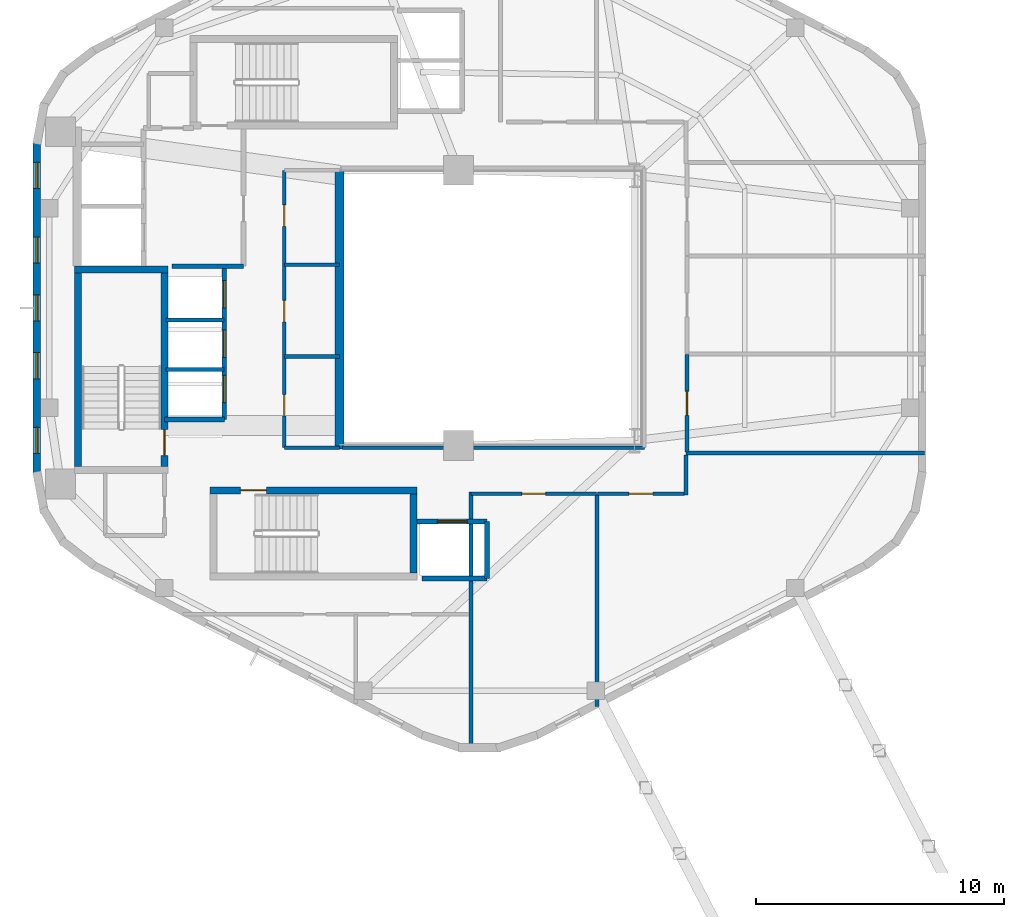
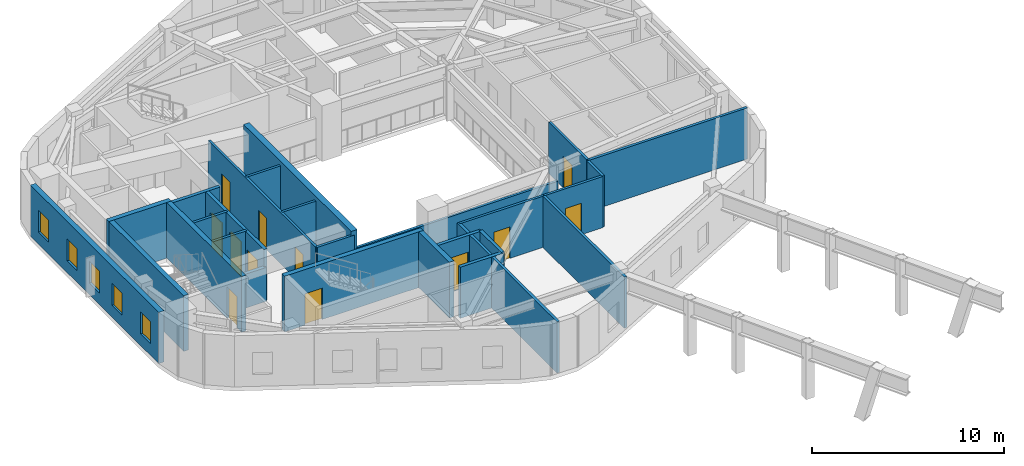
# One storey, part 3 of 6: 27 walls, 12 doors, 5 windows, 17 openings.
"""IFC4 building model written with IfcOpenShell, lengths in metres."""

from ifc_helpers import new_model, si_unit, direction, frame, frame_2d, origin, place, context, subcontext, project, spatial, rectangle, extrude, material, layer, layer_set, type_object, element, fill, save


model = new_model("IFC4")

# Units and contexts
model_context = context("Model", 3, precision=1e-05, world=origin(), true_north=direction((0.0, 1.0)))
body_context = subcontext(model_context, "Body", "Model", "MODEL_VIEW")
ifc_project = project(units=[si_unit("LENGTHUNIT", "METRE"), si_unit("AREAUNIT", "SQUARE_METRE"), si_unit("VOLUMEUNIT", "CUBIC_METRE"), si_unit("PLANEANGLEUNIT", "RADIAN"), si_unit("MASSUNIT", "GRAM", prefix="KILO"), si_unit("THERMODYNAMICTEMPERATUREUNIT", "KELVIN"), si_unit("POWERUNIT", "WATT")], contexts=[model_context])

# Site, building, storey
site_placement = place(None, origin())
site = spatial("IfcSite", under=ifc_project, at=site_placement, CompositionType="ELEMENT")
building_placement = place(site_placement, origin())
building = spatial("IfcBuilding", under=site, at=building_placement, Name="Skarre Station Tower", CompositionType="ELEMENT")
storey_placement = place(building_placement, frame((0.0, 0.0, 231.25)))
storey = spatial("IfcBuildingStorey", under=building, at=storey_placement, Name="L63", CompositionType="ELEMENT", Elevation=231.25)

# Walls
ifc_material_1 = material(Name="Acoustic Steel-Stud Gypsum Partition", Category="steel")
ifc_layer_1 = layer(ifc_material_1, 0.14990234375, Name="Acoustic Steel-Stud Gypsum Partition")
ifc_layer_set_1 = layer_set([ifc_layer_1], Name="Acoustic Steel-Stud Gypsum Partition")
wall_type_1 = type_object("IfcWallType", Name="Fire-Rated Corridor Acoustic Partition 150", PredefinedType="PARTITIONING", material=ifc_layer_set_1)
for number, where, z_axis, x_axis, name in (
    (1, (25.320068359375, 22.0400390625, 0.0), (0.0, 0.0, 1.0), (1.0, 0.0, 0.0), "L63 Interior Partition WL-PT-L63-RC2-M1"),
    (2, (25.320068359375, 25.739990234375, 0.0), (0.0, 0.0, 1.0), (1.0, 0.0, 0.0), "L63 Interior Partition WL-PT-L63-RC2-M2"),
):
    element("IfcWall", number, at=place(storey_placement, frame(where, z_axis=z_axis, x_axis=x_axis)), inside=storey, type_object=wall_type_1, Name=name, PredefinedType="PARTITIONING", context=body_context, shape_type="SweptSolid", body=[
        extrude(rectangle(XDim=2.22998046875, YDim=0.14990234375, at=frame_2d((1.114990234375, 0.0))), origin(), (0.0, 0.0, 1.0), 3.260009765625),
    ])

# Wall, openings, doors
wall_1_placement = place(storey_placement, frame((25.320068359375, 29.550048828125, 0.0), z_axis=(0.0, 0.0, 1.0), x_axis=(0.0, -1.0, 0.0)))
wall_1 = element("IfcWall", 3, at=wall_1_placement, inside=storey, type_object=wall_type_1, Name="L63 Interior Partition WL-PT-L63-RC2-W", PredefinedType="PARTITIONING", context=body_context, shape_type="SweptSolid", body=[
    extrude(rectangle(XDim=11.18994140625, YDim=0.14990234375, at=frame_2d((5.594970703125, 0.0))), origin(), (0.0, 0.0, 1.0), 3.260009765625),
])
opening_1_placement = place(wall_1_placement, frame((1.39990234375, 0.0, 0.0)))
opening_1 = element("IfcOpeningElement", 4, at=opening_1_placement, cuts=wall_1, Name="Opening DR-SVC86", PredefinedType="OPENING", context=body_context, shape_type="SweptSolid", body=[
    extrude(rectangle(XDim=0.860107421875, YDim=2.0, at=frame_2d((0.43017578125, 1.0))), frame((0.0, 0.0849609375, 0.0), z_axis=(0.0, -1.0, 0.0), x_axis=(1.0, 0.0, 0.0)), (0.0, 0.0, 1.0), 0.169921875),
])
opening_2_placement = place(wall_1_placement, frame((5.25, 0.0, 0.0)))
opening_2 = element("IfcOpeningElement", 5, at=opening_2_placement, cuts=wall_1, Name="Opening DR-SVC86", PredefinedType="OPENING", context=body_context, shape_type="SweptSolid", body=[
    extrude(rectangle(XDim=0.860107421875, YDim=2.0, at=frame_2d((0.43017578125, 1.0))), frame((0.0, 0.0849609375, 0.0), z_axis=(0.0, -1.0, 0.0), x_axis=(1.0, 0.0, 0.0)), (0.0, 0.0, 1.0), 0.169921875),
])
opening_3_placement = place(wall_1_placement, frame((9.050048828125, 0.0, 0.0)))
opening_3 = element("IfcOpeningElement", 6, at=opening_3_placement, cuts=wall_1, Name="Opening DR-SVC86", PredefinedType="OPENING", context=body_context, shape_type="SweptSolid", body=[
    extrude(rectangle(XDim=0.860107421875, YDim=2.0, at=frame_2d((0.43017578125, 1.0))), frame((0.0, 0.0849609375, 0.0), z_axis=(0.0, -1.0, 0.0), x_axis=(1.0, 0.0, 0.0)), (0.0, 0.0, 1.0), 0.169921875),
])
ifc_material_2 = material(Name="Powder-Coated Hollow-Metal Acoustic Fire Leaf", Category="steel")
door_type_1 = type_object("IfcDoorType", Name="Compact Riser Fire Door FD60 860x2100", OperationType="SINGLE_SWING_LEFT", PredefinedType="DOOR", material=ifc_material_2)
door_1_placement = place(opening_1_placement, origin())
door_1 = element("IfcDoor", 7, at=door_1_placement, inside=storey, type_object=door_type_1, Name="L63 Housekeeping Storage Door", OperationType="SINGLE_SWING_LEFT", OverallHeight=2.0, OverallWidth=0.860107421875, PredefinedType="DOOR", context=body_context, shape_type="SweptSolid", body=[
    extrude(rectangle(XDim=0.860107421875, YDim=2.0, at=frame_2d((0.43017578125, 1.0))), frame((0.0, 0.02490234375, 0.0), z_axis=(0.0, -1.0, 0.0), x_axis=(1.0, 0.0, 0.0)), (0.0, 0.0, 1.0), 0.050048828125),
])
fill(opening_1, door_1)
door_2_placement = place(opening_2_placement, origin())
door_2 = element("IfcDoor", 8, at=door_2_placement, inside=storey, type_object=door_type_1, Name="L63 Core IT Room Door", OperationType="SINGLE_SWING_LEFT", OverallHeight=2.0, OverallWidth=0.860107421875, PredefinedType="DOOR", context=body_context, shape_type="SweptSolid", body=[
    extrude(rectangle(XDim=0.860107421875, YDim=2.0, at=frame_2d((0.43017578125, 1.0))), frame((0.0, 0.02490234375, 0.0), z_axis=(0.0, -1.0, 0.0), x_axis=(1.0, 0.0, 0.0)), (0.0, 0.0, 1.0), 0.050048828125),
])
fill(opening_2, door_2)
door_3_placement = place(opening_3_placement, origin())
door_3 = element("IfcDoor", 9, at=door_3_placement, inside=storey, type_object=door_type_1, Name="L63 Beverage Pantry Door", OperationType="SINGLE_SWING_LEFT", OverallHeight=2.0, OverallWidth=0.860107421875, PredefinedType="DOOR", context=body_context, shape_type="SweptSolid", body=[
    extrude(rectangle(XDim=0.860107421875, YDim=2.0, at=frame_2d((0.43017578125, 1.0))), frame((0.0, 0.02490234375, 0.0), z_axis=(0.0, -1.0, 0.0), x_axis=(1.0, 0.0, 0.0)), (0.0, 0.0, 1.0), 0.050048828125),
])
fill(opening_3, door_3)

# Walls
wall_2_placement = place(storey_placement, frame((25.320068359375, 18.360107421875, 0.0), z_axis=(0.0, 0.0, 1.0), x_axis=(1.0, 0.0, 0.0)))
element("IfcWall", 10, at=wall_2_placement, inside=storey, type_object=wall_type_1, Name="L63 Interior Partition WL-PT-L63-RC2-S", PredefinedType="PARTITIONING", context=body_context, shape_type="SweptSolid", body=[
    extrude(rectangle(XDim=2.22998046875, YDim=0.14990234375, at=frame_2d((1.114990234375, 0.0))), origin(), (0.0, 0.0, 1.0), 3.260009765625),
])
wall_3_placement = place(storey_placement, frame((27.675048828125, 18.360107421875, 0.0), z_axis=(0.0, 0.0, 1.0), x_axis=(1.0, 0.0, 0.0)))
element("IfcWall", 11, at=wall_3_placement, inside=storey, type_object=wall_type_1, Name="L63 Interior Partition WL-PT-L63-ATRW-S", PredefinedType="PARTITIONING", context=body_context, shape_type="SweptSolid", body=[
    extrude(rectangle(XDim=12.1650390625, YDim=0.14990234375, at=frame_2d((6.08251953125, 0.0))), origin(), (0.0, 0.0, 1.0), 2.40087890625),
])

# Wall, opening, door
wall_4_placement = place(storey_placement, frame((41.56005859375, 18.179931640625, 0.0), z_axis=(0.0, 0.0, 1.0), x_axis=(0.0, 1.0, 0.0)))
wall_4 = element("IfcWall", 12, at=wall_4_placement, inside=storey, type_object=wall_type_1, Name="L63 Interior Partition WL-PT-L63-EW1-CW", PredefinedType="PARTITIONING", context=body_context, shape_type="SweptSolid", body=[
    extrude(rectangle(XDim=3.940185546875, YDim=0.14990234375, at=frame_2d((1.97021484375, 0.0))), origin(), (0.0, 0.0, 1.0), 3.260009765625),
])
opening_4_placement = place(wall_4_placement, frame((1.489990234375, 0.0, 0.0)))
opening_4 = element("IfcOpeningElement", 13, at=opening_4_placement, cuts=wall_4, Name="Opening DR-FD60", PredefinedType="OPENING", context=body_context, shape_type="SweptSolid", body=[
    extrude(rectangle(XDim=0.9599609375, YDim=2.0, at=frame_2d((0.47998046875, 1.0))), frame((0.0, 0.0849609375, 0.0), z_axis=(0.0, -1.0, 0.0), x_axis=(1.0, 0.0, 0.0)), (0.0, 0.0, 1.0), 0.169921875),
])
ifc_material_3 = material(Name="Nordic White-Oak Veneer Solid-Core Fire Leaf", Category="wood")
door_type_2 = type_object("IfcDoorType", Name="Corridor Suite Entry Fire Door FD60 960x2150", OperationType="SINGLE_SWING_LEFT", PredefinedType="DOOR", material=ifc_material_3)
door_4_placement = place(opening_4_placement, origin())
door_4 = element("IfcDoor", 14, at=door_4_placement, inside=storey, type_object=door_type_2, Name="L63 EW1 Entry Door", OperationType="SINGLE_SWING_LEFT", OverallHeight=2.0, OverallWidth=0.9599609375, PredefinedType="DOOR", context=body_context, shape_type="SweptSolid", body=[
    extrude(rectangle(XDim=0.9599609375, YDim=2.0, at=frame_2d((0.47998046875, 1.0))), frame((0.0, 0.02490234375, 0.0), z_axis=(0.0, -1.0, 0.0), x_axis=(1.0, 0.0, 0.0)), (0.0, 0.0, 1.0), 0.050048828125),
])
fill(opening_4, door_4)

# Wall
wall_5_placement = place(storey_placement, frame((41.52001953125, 16.4599609375, 0.0), z_axis=(0.0, 0.0, 1.0), x_axis=(0.0, 1.0, 0.0)))
element("IfcWall", 15, at=wall_5_placement, inside=storey, type_object=wall_type_1, Name="L63 Interior Partition WL-PT-L63-CORR-SER", PredefinedType="PARTITIONING", context=body_context, shape_type="SweptSolid", body=[
    extrude(rectangle(XDim=1.60205078125, YDim=0.14990234375, at=frame_2d((0.801025390625, 0.0))), origin(), (0.0, 0.0, 1.0), 3.260009765625),
])

# Wall, opening, door
wall_6_placement = place(storey_placement, frame((32.85009765625, 16.5, 0.0), z_axis=(0.0, 0.0, 1.0), x_axis=(1.0, 0.0, 0.0)))
wall_6 = element("IfcWall", 16, at=wall_6_placement, inside=storey, type_object=wall_type_1, Name="L63 Interior Partition WL-PT-L63-SW1-CW", PredefinedType="PARTITIONING", context=body_context, shape_type="SweptSolid", body=[
    extrude(rectangle(XDim=5.060791015625, YDim=0.14990234375, at=frame_2d((2.5302734375, 0.0))), origin(), (0.0, 0.0, 1.0), 3.260009765625),
])
opening_5_placement = place(wall_6_placement, frame((2.051025390625, 0.0, 0.0)))
opening_5 = element("IfcOpeningElement", 17, at=opening_5_placement, cuts=wall_6, Name="Opening DR-FD60", PredefinedType="OPENING", context=body_context, shape_type="SweptSolid", body=[
    extrude(rectangle(XDim=0.9599609375, YDim=2.0, at=frame_2d((0.47998046875, 1.0))), frame((0.0, 0.0849609375, 0.0), z_axis=(0.0, -1.0, 0.0), x_axis=(1.0, 0.0, 0.0)), (0.0, 0.0, 1.0), 0.169921875),
])
door_5_placement = place(opening_5_placement, origin())
door_5 = element("IfcDoor", 18, at=door_5_placement, inside=storey, type_object=door_type_2, Name="L63 SW1 Entry Door", OperationType="SINGLE_SWING_LEFT", OverallHeight=2.0, OverallWidth=0.9599609375, PredefinedType="DOOR", context=body_context, shape_type="SweptSolid", body=[
    extrude(rectangle(XDim=0.9599609375, YDim=2.0, at=frame_2d((0.47998046875, 1.0))), frame((0.0, 0.02490234375, 0.0), z_axis=(0.0, -1.0, 0.0), x_axis=(1.0, 0.0, 0.0)), (0.0, 0.0, 1.0), 0.050048828125),
])
fill(opening_5, door_5)

wall_7_placement = place(storey_placement, frame((37.947021484375, 16.5, 0.0), z_axis=(0.0, 0.0, 1.0), x_axis=(1.0, 0.0, 0.0)))
wall_7 = element("IfcWall", 19, at=wall_7_placement, inside=storey, type_object=wall_type_1, Name="L63 Interior Partition WL-PT-L63-SW2-CW", PredefinedType="PARTITIONING", context=body_context, shape_type="SweptSolid", body=[
    extrude(rectangle(XDim=3.512939453125, YDim=0.14990234375, at=frame_2d((1.75634765625, 0.0))), origin(), (0.0, 0.0, 1.0), 3.260009765625),
])
opening_6_placement = place(wall_7_placement, frame((1.277099609375, 0.0, 0.0)))
opening_6 = element("IfcOpeningElement", 20, at=opening_6_placement, cuts=wall_7, Name="Opening DR-FD60", PredefinedType="OPENING", context=body_context, shape_type="SweptSolid", body=[
    extrude(rectangle(XDim=0.9599609375, YDim=2.0, at=frame_2d((0.47998046875, 1.0))), frame((0.0, 0.0849609375, 0.0), z_axis=(0.0, -1.0, 0.0), x_axis=(1.0, 0.0, 0.0)), (0.0, 0.0, 1.0), 0.169921875),
])
door_6_placement = place(opening_6_placement, origin())
door_6 = element("IfcDoor", 21, at=door_6_placement, inside=storey, type_object=door_type_2, Name="L63 SW2 Entry Door", OperationType="SINGLE_SWING_LEFT", OverallHeight=2.0, OverallWidth=0.9599609375, PredefinedType="DOOR", context=body_context, shape_type="SweptSolid", body=[
    extrude(rectangle(XDim=0.9599609375, YDim=2.0, at=frame_2d((0.47998046875, 1.0))), frame((0.0, 0.02490234375, 0.0), z_axis=(0.0, -1.0, 0.0), x_axis=(1.0, 0.0, 0.0)), (0.0, 0.0, 1.0), 0.050048828125),
])
fill(opening_6, door_6)

# Wall, openings, windows
ifc_material_4 = material(Name="Precast concrete C45/55", Category="concrete")
ifc_layer_2 = layer(ifc_material_4, 0.31005859375, Name="Precast concrete C45/55")
ifc_layer_set_2 = layer_set([ifc_layer_2], Name="Precast concrete C45/55")
wall_type_2 = type_object("IfcWallType", Name="Nordic Upper-Zone Precast Facet Wall 310", PredefinedType="STANDARD", material=ifc_layer_set_2)
wall_8_placement = place(storey_placement, frame((15.342041015625, 17.298095703125, 0.0), z_axis=(0.0, 0.0, 1.0), x_axis=(0.0, 1.0, 0.0)))
wall_8 = element("IfcWall", 22, at=wall_8_placement, inside=storey, type_object=wall_type_2, Name="L63 Facet 2 Nordic Precast Masonry Wall", PredefinedType="STANDARD", context=body_context, shape_type="SweptSolid", body=[
    extrude(rectangle(XDim=13.40380859375, YDim=0.31005859375, at=frame_2d((6.701904296875, 0.0))), origin(), (0.0, 0.0, 1.0), 3.260009765625),
])
opening_7_placement = place(wall_8_placement, frame((0.8310546875, 0.0, 0.75)))
opening_7 = element("IfcOpeningElement", 23, at=opening_7_placement, cuts=wall_8, Name="Opening WN-SLT", PredefinedType="OPENING", context=body_context, shape_type="SweptSolid", body=[
    extrude(rectangle(XDim=1.050048828125, YDim=1.39990234375, at=frame_2d((0.52490234375, 0.699951171875))), frame((0.0, 0.1650390625, 0.0), z_axis=(0.0, -1.0, 0.0), x_axis=(1.0, 0.0, 0.0)), (0.0, 0.0, 1.0), 0.330078125),
])
opening_8_placement = place(wall_8_placement, frame((3.843017578125, 0.0, 0.75)))
opening_8 = element("IfcOpeningElement", 24, at=opening_8_placement, cuts=wall_8, Name="Opening WN-SLT", PredefinedType="OPENING", context=body_context, shape_type="SweptSolid", body=[
    extrude(rectangle(XDim=1.050048828125, YDim=1.39990234375, at=frame_2d((0.52490234375, 0.699951171875))), frame((0.0, 0.1650390625, 0.0), z_axis=(0.0, -1.0, 0.0), x_axis=(1.0, 0.0, 0.0)), (0.0, 0.0, 1.0), 0.330078125),
])
opening_9_placement = place(wall_8_placement, frame((6.177001953125, 0.0, 0.75)))
opening_9 = element("IfcOpeningElement", 25, at=opening_9_placement, cuts=wall_8, Name="Opening WN-SLT", PredefinedType="OPENING", context=body_context, shape_type="SweptSolid", body=[
    extrude(rectangle(XDim=1.050048828125, YDim=1.39990234375, at=frame_2d((0.52490234375, 0.699951171875))), frame((0.0, 0.1650390625, 0.0), z_axis=(0.0, -1.0, 0.0), x_axis=(1.0, 0.0, 0.0)), (0.0, 0.0, 1.0), 0.330078125),
])
opening_10_placement = place(wall_8_placement, frame((8.510986328125, 0.0, 0.75)))
opening_10 = element("IfcOpeningElement", 26, at=opening_10_placement, cuts=wall_8, Name="Opening WN-SLT", PredefinedType="OPENING", context=body_context, shape_type="SweptSolid", body=[
    extrude(rectangle(XDim=1.050048828125, YDim=1.39990234375, at=frame_2d((0.52490234375, 0.699951171875))), frame((0.0, 0.1650390625, 0.0), z_axis=(0.0, -1.0, 0.0), x_axis=(1.0, 0.0, 0.0)), (0.0, 0.0, 1.0), 0.330078125),
])
opening_11_placement = place(wall_8_placement, frame((11.52392578125, 0.0, 0.75)))
opening_11 = element("IfcOpeningElement", 27, at=opening_11_placement, cuts=wall_8, Name="Opening WN-SLT", PredefinedType="OPENING", context=body_context, shape_type="SweptSolid", body=[
    extrude(rectangle(XDim=1.050048828125, YDim=1.39990234375, at=frame_2d((0.52490234375, 0.699951171875))), frame((0.0, 0.1650390625, 0.0), z_axis=(0.0, -1.0, 0.0), x_axis=(1.0, 0.0, 0.0)), (0.0, 0.0, 1.0), 0.330078125),
])
ifc_material_5 = material(Name="Low-Iron Triple Glazing with Bronze Anodized Frame", Category="glass")
window_type = type_object("IfcWindowType", Name="Nordic Corner Slot Window 1050x1400", PartitioningType="SINGLE_PANEL", PredefinedType="WINDOW", material=ifc_material_5)
window_1_placement = place(opening_7_placement, origin())
window_1 = element("IfcWindow", 28, at=window_1_placement, inside=storey, type_object=window_type, Name="L63 Facade Window WL-FAC-L63-F2-1", OverallHeight=1.39990234375, OverallWidth=1.050048828125, PartitioningType="SINGLE_PANEL", PredefinedType="WINDOW", context=body_context, shape_type="SweptSolid", body=[
    extrude(rectangle(XDim=1.050048828125, YDim=1.39990234375, at=frame_2d((0.52490234375, 0.699951171875))), frame((0.0, 0.030029296875, 0.0), z_axis=(0.0, -1.0, 0.0), x_axis=(1.0, 0.0, 0.0)), (0.0, 0.0, 1.0), 0.06005859375),
])
fill(opening_7, window_1)
window_2_placement = place(opening_8_placement, origin())
window_2 = element("IfcWindow", 29, at=window_2_placement, inside=storey, type_object=window_type, Name="L63 Facade Window WL-FAC-L63-F2-2", OverallHeight=1.39990234375, OverallWidth=1.050048828125, PartitioningType="SINGLE_PANEL", PredefinedType="WINDOW", context=body_context, shape_type="SweptSolid", body=[
    extrude(rectangle(XDim=1.050048828125, YDim=1.39990234375, at=frame_2d((0.52490234375, 0.699951171875))), frame((0.0, 0.030029296875, 0.0), z_axis=(0.0, -1.0, 0.0), x_axis=(1.0, 0.0, 0.0)), (0.0, 0.0, 1.0), 0.06005859375),
])
fill(opening_8, window_2)
window_3_placement = place(opening_9_placement, origin())
window_3 = element("IfcWindow", 30, at=window_3_placement, inside=storey, type_object=window_type, Name="L63 Facade Window WL-FAC-L63-F2-3", OverallHeight=1.39990234375, OverallWidth=1.050048828125, PartitioningType="SINGLE_PANEL", PredefinedType="WINDOW", context=body_context, shape_type="SweptSolid", body=[
    extrude(rectangle(XDim=1.050048828125, YDim=1.39990234375, at=frame_2d((0.52490234375, 0.699951171875))), frame((0.0, 0.030029296875, 0.0), z_axis=(0.0, -1.0, 0.0), x_axis=(1.0, 0.0, 0.0)), (0.0, 0.0, 1.0), 0.06005859375),
])
fill(opening_9, window_3)
window_4_placement = place(opening_10_placement, origin())
window_4 = element("IfcWindow", 31, at=window_4_placement, inside=storey, type_object=window_type, Name="L63 Facade Window WL-FAC-L63-F2-4", OverallHeight=1.39990234375, OverallWidth=1.050048828125, PartitioningType="SINGLE_PANEL", PredefinedType="WINDOW", context=body_context, shape_type="SweptSolid", body=[
    extrude(rectangle(XDim=1.050048828125, YDim=1.39990234375, at=frame_2d((0.52490234375, 0.699951171875))), frame((0.0, 0.030029296875, 0.0), z_axis=(0.0, -1.0, 0.0), x_axis=(1.0, 0.0, 0.0)), (0.0, 0.0, 1.0), 0.06005859375),
])
fill(opening_10, window_4)
window_5_placement = place(opening_11_placement, origin())
window_5 = element("IfcWindow", 32, at=window_5_placement, inside=storey, type_object=window_type, Name="L63 Facade Window WL-FAC-L63-F2-5", OverallHeight=1.39990234375, OverallWidth=1.050048828125, PartitioningType="SINGLE_PANEL", PredefinedType="WINDOW", context=body_context, shape_type="SweptSolid", body=[
    extrude(rectangle(XDim=1.050048828125, YDim=1.39990234375, at=frame_2d((0.52490234375, 0.699951171875))), frame((0.0, 0.030029296875, 0.0), z_axis=(0.0, -1.0, 0.0), x_axis=(1.0, 0.0, 0.0)), (0.0, 0.0, 1.0), 0.06005859375),
])
fill(opening_11, window_5)

# Walls
ifc_material_6 = material(Name="Concrete C50/60", Category="concrete")
ifc_layer_3 = layer(ifc_material_6, 0.280029296875, Name="Concrete C50/60")
ifc_layer_set_3 = layer_set([ifc_layer_3], Name="Concrete C50/60")
wall_type_3 = type_object("IfcWallType", Name="RC Core Shear Wall 280", PredefinedType="SHEAR", material=ifc_layer_set_3)
wall_9_placement = place(storey_placement, frame((20.6298828125, 25.5400390625, 0.0), z_axis=(0.0, 0.0, 1.0), x_axis=(-1.0, 0.0, 0.0)))
element("IfcWall", 33, at=wall_9_placement, inside=storey, type_object=wall_type_3, Name="L63 Stair ST-1 North Shear Wall", PredefinedType="SHEAR", context=body_context, shape_type="SweptSolid", body=[
    extrude(rectangle(XDim=3.759765625, YDim=0.280029296875, at=frame_2d((1.8798828125, 0.0))), origin(), (0.0, 0.0, 1.0), 3.550048828125),
])
wall_10_placement = place(storey_placement, frame((17.010009765625, 25.39990234375, 0.0), z_axis=(0.0, 0.0, 1.0), x_axis=(0.0, -1.0, 0.0)))
element("IfcWall", 34, at=wall_10_placement, inside=storey, type_object=wall_type_3, Name="L63 Stair ST-1 West Shear Wall", PredefinedType="SHEAR", context=body_context, shape_type="SweptSolid", body=[
    extrude(rectangle(XDim=7.7998046875, YDim=0.280029296875, at=frame_2d((3.89990234375, 0.0))), origin(), (0.0, 0.0, 1.0), 3.550048828125),
])

# Wall, opening, door
wall_11_placement = place(storey_placement, frame((20.489990234375, 17.60009765625, 0.0), z_axis=(0.0, 0.0, 1.0), x_axis=(0.0, 1.0, 0.0)))
wall_11 = element("IfcWall", 35, at=wall_11_placement, inside=storey, type_object=wall_type_3, Name="L63 Stair ST-1 East Shear Wall", PredefinedType="SHEAR", context=body_context, shape_type="SweptSolid", body=[
    extrude(rectangle(XDim=7.7998046875, YDim=0.280029296875, at=frame_2d((3.89990234375, 0.0))), origin(), (0.0, 0.0, 1.0), 3.550048828125),
])
opening_12_placement = place(wall_11_placement, frame((0.43994140625, 0.0, 0.0)))
opening_12 = element("IfcOpeningElement", 36, at=opening_12_placement, cuts=wall_11, Name="Opening DR-FD90", PredefinedType="OPENING", context=body_context, shape_type="SweptSolid", body=[
    extrude(rectangle(XDim=1.050048828125, YDim=2.0, at=frame_2d((0.52490234375, 1.0))), frame((0.0, 0.14990234375, 0.0), z_axis=(0.0, -1.0, 0.0), x_axis=(1.0, 0.0, 0.0)), (0.0, 0.0, 1.0), 0.300048828125),
])
ifc_material_7 = material(Name="Fire-Rated Insulated Steel Frame & Timber Core Leaf", Category="steel")
door_type_3 = type_object("IfcDoorType", Name="Stair & FSAE Lobby Fire Door FD90 1050x2150", OperationType="SINGLE_SWING_RIGHT", PredefinedType="DOOR", material=ifc_material_7)
door_7_placement = place(opening_12_placement, origin())
door_7 = element("IfcDoor", 37, at=door_7_placement, inside=storey, type_object=door_type_3, Name="L63 Stair ST-1 Exit Door", OperationType="SINGLE_SWING_RIGHT", OverallHeight=2.0, OverallWidth=1.050048828125, PredefinedType="DOOR", context=body_context, shape_type="SweptSolid", body=[
    extrude(rectangle(XDim=1.050048828125, YDim=2.0, at=frame_2d((0.52490234375, 1.0))), frame((0.0, 0.02490234375, 0.0), z_axis=(0.0, -1.0, 0.0), x_axis=(1.0, 0.0, 0.0)), (0.0, 0.0, 1.0), 0.050048828125),
])
fill(opening_12, door_7)

wall_12_placement = place(storey_placement, frame((30.679931640625, 16.639892578125, 0.0), z_axis=(0.0, 0.0, 1.0), x_axis=(-1.0, 0.0, 0.0)))
wall_12 = element("IfcWall", 38, at=wall_12_placement, inside=storey, type_object=wall_type_3, Name="L63 Stair ST-2 North Shear Wall", PredefinedType="SHEAR", context=body_context, shape_type="SweptSolid", body=[
    extrude(rectangle(XDim=8.35986328125, YDim=0.280029296875, at=frame_2d((4.179931640625, 0.0))), origin(), (0.0, 0.0, 1.0), 3.550048828125),
])
opening_13_placement = place(wall_12_placement, frame((6.080078125, 0.0, 0.0)))
opening_13 = element("IfcOpeningElement", 39, at=opening_13_placement, cuts=wall_12, Name="Opening DR-FD90", PredefinedType="OPENING", context=body_context, shape_type="SweptSolid", body=[
    extrude(rectangle(XDim=1.050048828125, YDim=2.0, at=frame_2d((0.52490234375, 1.0))), frame((0.0, 0.14990234375, 0.0), z_axis=(0.0, -1.0, 0.0), x_axis=(1.0, 0.0, 0.0)), (0.0, 0.0, 1.0), 0.300048828125),
])
door_8_placement = place(opening_13_placement, origin())
door_8 = element("IfcDoor", 40, at=door_8_placement, inside=storey, type_object=door_type_3, Name="L63 Stair ST-2 Exit Door", OperationType="SINGLE_SWING_RIGHT", OverallHeight=2.0, OverallWidth=1.050048828125, PredefinedType="DOOR", context=body_context, shape_type="SweptSolid", body=[
    extrude(rectangle(XDim=1.050048828125, YDim=2.0, at=frame_2d((0.52490234375, 1.0))), frame((0.0, 0.02490234375, 0.0), z_axis=(0.0, -1.0, 0.0), x_axis=(1.0, 0.0, 0.0)), (0.0, 0.0, 1.0), 0.050048828125),
])
fill(opening_13, door_8)

# Walls
wall_13_placement = place(storey_placement, frame((30.5400390625, 13.300048828125, 0.0), z_axis=(0.0, 0.0, 1.0), x_axis=(0.0, 1.0, 0.0)))
element("IfcWall", 41, at=wall_13_placement, inside=storey, type_object=wall_type_3, Name="L63 Stair ST-2 East Shear Wall", PredefinedType="SHEAR", context=body_context, shape_type="SweptSolid", body=[
    extrude(rectangle(XDim=3.199951171875, YDim=0.280029296875, at=frame_2d((1.60009765625, 0.0))), origin(), (0.0, 0.0, 1.0), 3.550048828125),
])
ifc_layer_4 = layer(ifc_material_6, 0.360107421875, Name="Concrete C50/60")
ifc_layer_set_4 = layer_set([ifc_layer_4], Name="Concrete C50/60")
wall_type_4 = type_object("IfcWallType", Name="RC Core Shear Wall 360", PredefinedType="SHEAR", material=ifc_layer_set_4)
wall_14_placement = place(storey_placement, frame((27.550048828125, 29.550048828125, 0.0), z_axis=(0.0, 0.0, 1.0), x_axis=(0.0, -1.0, 0.0)))
element("IfcWall", 42, at=wall_14_placement, inside=storey, type_object=wall_type_4, Name="L63 Core East Atrium Shear Wall", PredefinedType="SHEAR", context=body_context, shape_type="SweptSolid", body=[
    extrude(rectangle(XDim=11.25, YDim=0.360107421875, at=frame_2d((5.625, 0.0))), origin(), (0.0, 0.0, 1.0), 3.550048828125),
])
ifc_material_8 = material(Name="Gypsum Concrete Shaft Assembly C30/37", Category="concrete")
ifc_layer_5 = layer(ifc_material_8, 0.199951171875, Name="Gypsum Concrete Shaft Assembly C30/37")
ifc_layer_set_5 = layer_set([ifc_layer_5], Name="Gypsum Concrete Shaft Assembly C30/37")
wall_type_5 = type_object("IfcWallType", Name="Shaft & Core Fire Partition 200", PredefinedType="PARTITIONING", material=ifc_layer_set_5)
wall_15_placement = place(storey_placement, frame((20.79296875, 25.679931640625, 0.0), z_axis=(0.0, 0.0, 1.0), x_axis=(1.0, 0.0, 0.0)))
element("IfcWall", 43, at=wall_15_placement, inside=storey, type_object=wall_type_5, Name="L63 Interior Partition WL-PT-L63-FSAE-S", PredefinedType="PARTITIONING", context=body_context, shape_type="SweptSolid", body=[
    extrude(rectangle(XDim=2.886962890625, YDim=0.199951171875, at=frame_2d((1.443359375, 0.0))), origin(), (0.0, 0.0, 1.0), 3.260009765625),
])

# Wall, opening, door
wall_16_placement = place(storey_placement, frame((33.5, 15.3798828125, 0.0), z_axis=(0.0, 0.0, 1.0), x_axis=(-1.0, 0.0, 0.0)))
wall_16 = element("IfcWall", 44, at=wall_16_placement, inside=storey, type_object=wall_type_5, Name="L63 Interior Partition WL-PT-L63-SV1-N", PredefinedType="PARTITIONING", context=body_context, shape_type="SweptSolid", body=[
    extrude(rectangle(XDim=2.820068359375, YDim=0.199951171875, at=frame_2d((1.41015625, 0.0))), origin(), (0.0, 0.0, 1.0), 3.260009765625),
])
opening_14_placement = place(wall_16_placement, frame((0.800048828125, 0.0, 0.0)))
opening_14 = element("IfcOpeningElement", 45, at=opening_14_placement, cuts=wall_16, Name="Opening LD-SV1", PredefinedType="OPENING", context=body_context, shape_type="SweptSolid", body=[
    extrude(rectangle(XDim=1.199951171875, YDim=2.199951171875, at=frame_2d((0.60009765625, 1.10009765625))), frame((0.0, 0.10986328125, 0.0), z_axis=(0.0, -1.0, 0.0), x_axis=(1.0, 0.0, 0.0)), (0.0, 0.0, 1.0), 0.219970703125),
])
ifc_material_9 = material(Name="Heavy-Gauge Brushed Stainless Steel Sliding Leaves", Category="steel")
door_type_4 = type_object("IfcDoorType", Name="Service Elevator Wide Sliding Landing Door 1200x2200", OperationType="SLIDING_TO_RIGHT", PredefinedType="DOOR", material=ifc_material_9)
door_9_placement = place(opening_14_placement, origin())
door_9 = element("IfcDoor", 46, at=door_9_placement, inside=storey, type_object=door_type_4, Name="L63 Service Lift LF-SV1 Landing Door", OperationType="SLIDING_TO_RIGHT", OverallHeight=2.199951171875, OverallWidth=1.199951171875, PredefinedType="DOOR", context=body_context, shape_type="SweptSolid", body=[
    extrude(rectangle(XDim=1.199951171875, YDim=2.199951171875, at=frame_2d((0.60009765625, 1.10009765625))), frame((0.0, 0.02490234375, 0.0), z_axis=(0.0, -1.0, 0.0), x_axis=(1.0, 0.0, 0.0)), (0.0, 0.0, 1.0), 0.050048828125),
])
fill(opening_14, door_9)

# Walls
wall_17_placement = place(storey_placement, frame((33.5, 13.080078125, 0.0), z_axis=(0.0, 0.0, 1.0), x_axis=(0.0, 1.0, 0.0)))
element("IfcWall", 47, at=wall_17_placement, inside=storey, type_object=wall_type_5, Name="L63 Interior Partition WL-PT-L63-SV1-E", PredefinedType="PARTITIONING", context=body_context, shape_type="SweptSolid", body=[
    extrude(rectangle(XDim=2.2998046875, YDim=0.199951171875, at=frame_2d((1.14990234375, 0.0))), origin(), (0.0, 0.0, 1.0), 3.260009765625),
])
wall_18_placement = place(storey_placement, frame((30.87890625, 13.080078125, 0.0), z_axis=(0.0, 0.0, 1.0), x_axis=(1.0, 0.0, 0.0)))
element("IfcWall", 48, at=wall_18_placement, inside=storey, type_object=wall_type_5, Name="L63 Interior Partition WL-PT-L63-SV1-S", PredefinedType="PARTITIONING", context=body_context, shape_type="SweptSolid", body=[
    extrude(rectangle(XDim=2.62109375, YDim=0.199951171875, at=frame_2d((1.310546875, 0.0))), origin(), (0.0, 0.0, 1.0), 3.260009765625),
])

# Wall, openings, doors
wall_19_placement = place(storey_placement, frame((22.89990234375, 19.5, 0.0), z_axis=(0.0, 0.0, 1.0), x_axis=(0.0, 1.0, 0.0)))
wall_19 = element("IfcWall", 49, at=wall_19_placement, inside=storey, type_object=wall_type_5, Name="L63 Interior Partition WL-PT-L63-B3-E", PredefinedType="PARTITIONING", context=body_context, shape_type="SweptSolid", body=[
    extrude(rectangle(XDim=6.0849609375, YDim=0.199951171875, at=frame_2d((3.04248046875, 0.0))), origin(), (0.0, 0.0, 1.0), 3.260009765625),
])
opening_15_placement = place(wall_19_placement, frame((0.679931640625, 0.0, 0.0)))
opening_15 = element("IfcOpeningElement", 50, at=opening_15_placement, cuts=wall_19, Name="Opening LD-P7", PredefinedType="OPENING", context=body_context, shape_type="SweptSolid", body=[
    extrude(rectangle(XDim=1.10009765625, YDim=2.199951171875, at=frame_2d((0.550048828125, 1.10009765625))), frame((0.0, 0.10986328125, 0.0), z_axis=(0.0, -1.0, 0.0), x_axis=(1.0, 0.0, 0.0)), (0.0, 0.0, 1.0), 0.219970703125),
])
opening_16_placement = place(wall_19_placement, frame((2.5, 0.0, 0.0)))
opening_16 = element("IfcOpeningElement", 51, at=opening_16_placement, cuts=wall_19, Name="Opening LD-P8", PredefinedType="OPENING", context=body_context, shape_type="SweptSolid", body=[
    extrude(rectangle(XDim=1.10009765625, YDim=2.199951171875, at=frame_2d((0.550048828125, 1.10009765625))), frame((0.0, 0.10986328125, 0.0), z_axis=(0.0, -1.0, 0.0), x_axis=(1.0, 0.0, 0.0)), (0.0, 0.0, 1.0), 0.219970703125),
])
opening_17_placement = place(wall_19_placement, frame((4.5, 0.0, 0.0)))
opening_17 = element("IfcOpeningElement", 52, at=opening_17_placement, cuts=wall_19, Name="Opening LD-P9", PredefinedType="OPENING", context=body_context, shape_type="SweptSolid", body=[
    extrude(rectangle(XDim=1.10009765625, YDim=2.199951171875, at=frame_2d((0.550048828125, 1.10009765625))), frame((0.0, 0.10986328125, 0.0), z_axis=(0.0, -1.0, 0.0), x_axis=(1.0, 0.0, 0.0)), (0.0, 0.0, 1.0), 0.219970703125),
])
ifc_material_10 = material(Name="Brushed Bronze Stainless Steel Sliding Leaves", Category="steel")
door_type_5 = type_object("IfcDoorType", Name="Passenger Elevator Center-Parting Sliding Door 1100x2200", OperationType="SLIDING_TO_LEFT", PredefinedType="DOOR", material=ifc_material_10)
door_10_placement = place(opening_15_placement, origin())
door_10 = element("IfcDoor", 53, at=door_10_placement, inside=storey, type_object=door_type_5, Name="L63 Passenger Lift LF-P7 Landing Door", OperationType="SLIDING_TO_LEFT", OverallHeight=2.199951171875, OverallWidth=1.10009765625, PredefinedType="DOOR", context=body_context, shape_type="SweptSolid", body=[
    extrude(rectangle(XDim=1.10009765625, YDim=2.199951171875, at=frame_2d((0.550048828125, 1.10009765625))), frame((0.0, 0.02490234375, 0.0), z_axis=(0.0, -1.0, 0.0), x_axis=(1.0, 0.0, 0.0)), (0.0, 0.0, 1.0), 0.050048828125),
])
fill(opening_15, door_10)
door_11_placement = place(opening_16_placement, origin())
door_11 = element("IfcDoor", 54, at=door_11_placement, inside=storey, type_object=door_type_5, Name="L63 Passenger Lift LF-P8 Landing Door", OperationType="SLIDING_TO_LEFT", OverallHeight=2.199951171875, OverallWidth=1.10009765625, PredefinedType="DOOR", context=body_context, shape_type="SweptSolid", body=[
    extrude(rectangle(XDim=1.10009765625, YDim=2.199951171875, at=frame_2d((0.550048828125, 1.10009765625))), frame((0.0, 0.02490234375, 0.0), z_axis=(0.0, -1.0, 0.0), x_axis=(1.0, 0.0, 0.0)), (0.0, 0.0, 1.0), 0.050048828125),
])
fill(opening_16, door_11)
door_12_placement = place(opening_17_placement, origin())
door_12 = element("IfcDoor", 55, at=door_12_placement, inside=storey, type_object=door_type_5, Name="L63 Passenger Lift LF-P9 Landing Door", OperationType="SLIDING_TO_LEFT", OverallHeight=2.199951171875, OverallWidth=1.10009765625, PredefinedType="DOOR", context=body_context, shape_type="SweptSolid", body=[
    extrude(rectangle(XDim=1.10009765625, YDim=2.199951171875, at=frame_2d((0.550048828125, 1.10009765625))), frame((0.0, 0.02490234375, 0.0), z_axis=(0.0, -1.0, 0.0), x_axis=(1.0, 0.0, 0.0)), (0.0, 0.0, 1.0), 0.050048828125),
])
fill(opening_17, door_12)

# Walls
wall_20_placement = place(storey_placement, frame((20.489990234375, 19.5, 0.0), z_axis=(0.0, 0.0, 1.0), x_axis=(1.0, 0.0, 0.0)))
element("IfcWall", 56, at=wall_20_placement, inside=storey, type_object=wall_type_5, Name="L63 Interior Partition WL-PT-L63-B3-S", PredefinedType="PARTITIONING", context=body_context, shape_type="SweptSolid", body=[
    extrude(rectangle(XDim=2.409912109375, YDim=0.199951171875, at=frame_2d((1.205078125, 0.0))), origin(), (0.0, 0.0, 1.0), 2.159912109375),
])
for number, where, z_axis, x_axis, name in (
    (57, (20.550048828125, 21.52001953125, 0.0), (0.0, 0.0, 1.0), (1.0, 0.0, 0.0), "L63 Interior Partition WL-PT-L63-B3-D1"),
    (58, (20.550048828125, 23.52001953125, 0.0), (0.0, 0.0, 1.0), (1.0, 0.0, 0.0), "L63 Interior Partition WL-PT-L63-B3-D2"),
):
    element("IfcWall", number, at=place(storey_placement, frame(where, z_axis=z_axis, x_axis=x_axis)), inside=storey, type_object=wall_type_5, Name=name, PredefinedType="PARTITIONING", context=body_context, shape_type="SweptSolid", body=[
        extrude(rectangle(XDim=2.349853515625, YDim=0.159912109375, at=frame_2d((1.1748046875, 0.0))), origin(), (0.0, 0.0, 1.0), 3.260009765625),
    ])
ifc_layer_6 = layer(ifc_material_1, 0.1650390625, Name="Acoustic Steel-Stud Gypsum Partition")
ifc_layer_set_6 = layer_set([ifc_layer_6], Name="Acoustic Steel-Stud Gypsum Partition")
wall_type_6 = type_object("IfcWallType", Name="Suite Demising Acoustic Partition 165", PredefinedType="PARTITIONING", material=ifc_layer_set_6)
wall_21_placement = place(storey_placement, frame((32.85009765625, 6.154052734375, 0.0), z_axis=(0.0, 0.0, 1.0), x_axis=(0.0, 1.0, 0.0)))
element("IfcWall", 59, at=wall_21_placement, inside=storey, type_object=wall_type_6, Name="L63 Interior Partition WL-PT-L63-SWP-E", PredefinedType="PARTITIONING", context=body_context, shape_type="SweptSolid", body=[
    extrude(rectangle(XDim=10.416015625, YDim=0.1650390625, at=frame_2d((5.2080078125, 0.0))), origin(), (0.0, 0.0, 1.0), 3.260009765625),
])
wall_22_placement = place(storey_placement, frame((41.52001953125, 18.139892578125, 0.0), z_axis=(0.0, 0.0, 1.0), x_axis=(1.0, 0.0, 0.0)))
element("IfcWall", 60, at=wall_22_placement, inside=storey, type_object=wall_type_6, Name="L63 Interior Partition WL-PT-L63-EWB-S", PredefinedType="PARTITIONING", context=body_context, shape_type="SweptSolid", body=[
    extrude(rectangle(XDim=9.623046875, YDim=0.1650390625, at=frame_2d((4.8115234375, 0.0))), origin(), (0.0, 0.0, 1.0), 3.260009765625),
])
wall_23_placement = place(storey_placement, frame((37.928955078125, 7.9208984375, 0.0), z_axis=(0.0, 0.0, 1.0), x_axis=(0.0, 1.0, 0.0)))
element("IfcWall", 61, at=wall_23_placement, inside=storey, type_object=wall_type_6, Name="L63 Interior Partition WL-PT-L63-SW-P1", PredefinedType="PARTITIONING", context=body_context, shape_type="SweptSolid", body=[
    extrude(rectangle(XDim=8.549072265625, YDim=0.1650390625, at=frame_2d((4.2744140625, 0.0))), origin(), (0.0, 0.0, 1.0), 3.260009765625),
])

save(model, "model.ifc")
